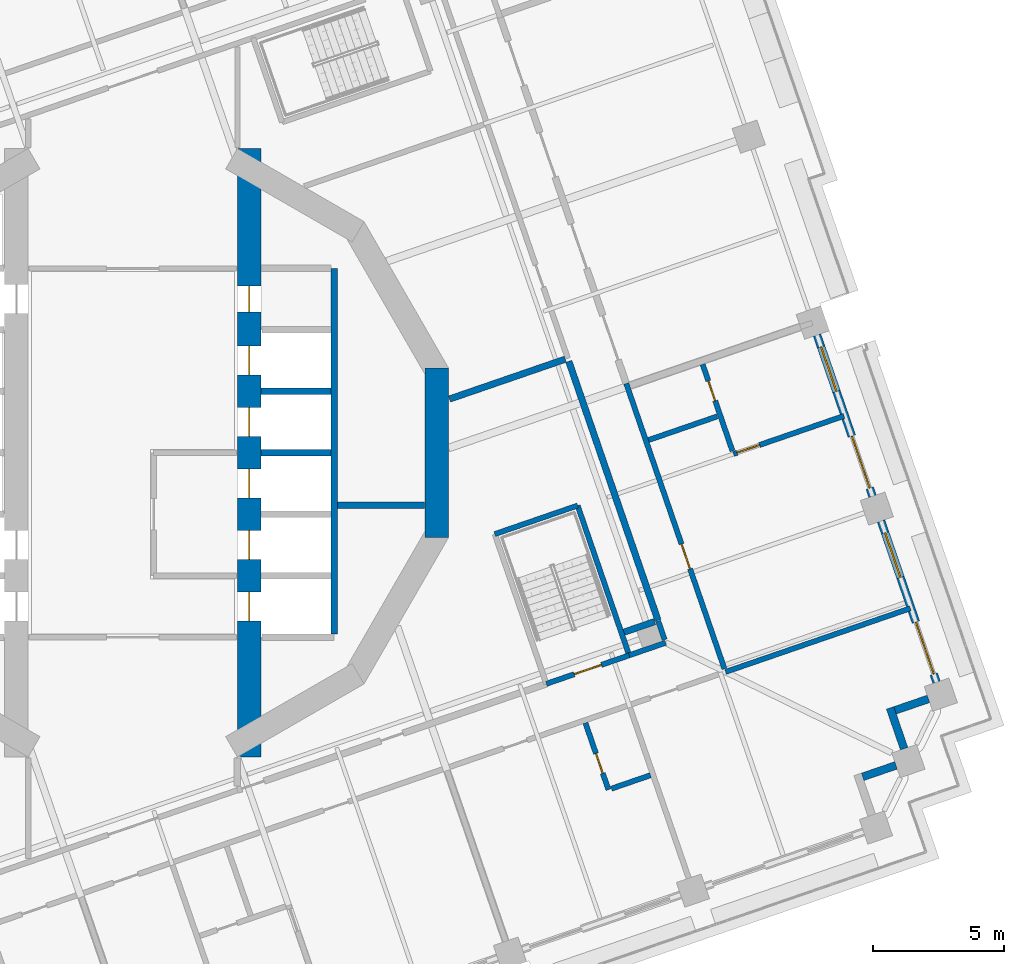
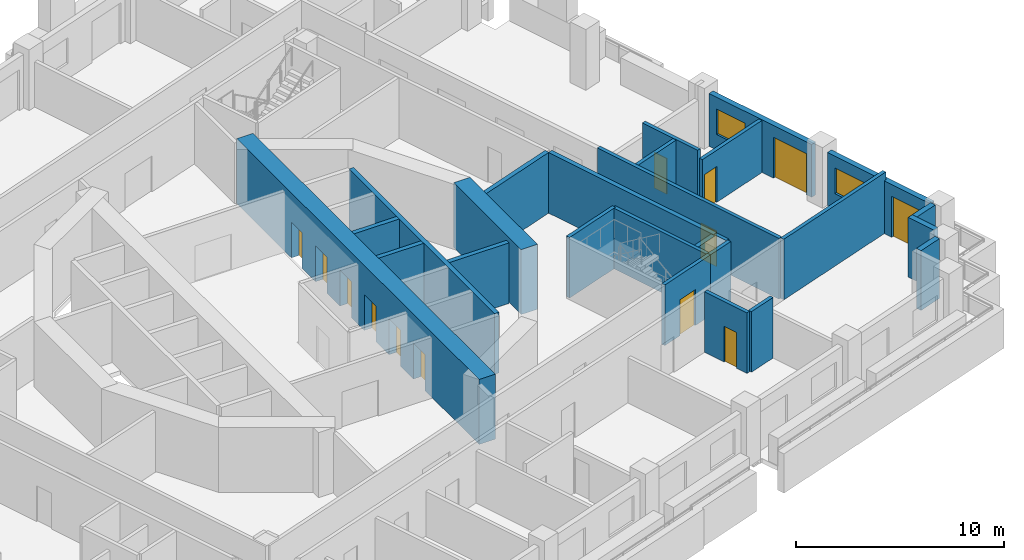
# One storey, part 7 of 19: 26 walls, 13 doors, 2 windows, 15 openings.
"""IFC4 building model written with IfcOpenShell, lengths in metres."""

from ifc_helpers import new_model, si_unit, direction, frame, frame_2d, origin, place, context, subcontext, project, spatial, rectangle, extrude, material, layer, layer_set, type_object, element, fill, save


model = new_model("IFC4")

# Units and contexts
model_context = context("Model", 3, precision=1e-05, world=origin(), true_north=direction((0.0, 1.0)))
body_context = subcontext(model_context, "Body", "Model", "MODEL_VIEW")
ifc_project = project(units=[si_unit("LENGTHUNIT", "METRE"), si_unit("AREAUNIT", "SQUARE_METRE"), si_unit("VOLUMEUNIT", "CUBIC_METRE"), si_unit("PLANEANGLEUNIT", "RADIAN"), si_unit("MASSUNIT", "GRAM", prefix="KILO")], contexts=[model_context])

# Site, building, storey
site_placement = place(None, origin())
site = spatial("IfcSite", under=ifc_project, at=site_placement, CompositionType="ELEMENT")
building_placement = place(site_placement, origin())
building = spatial("IfcBuilding", under=site, at=building_placement, Name="Cantera Rosa Tower", CompositionType="ELEMENT")
storey_placement = place(building_placement, frame((0.0, 0.0, 123.10009765625)))
storey = spatial("IfcBuildingStorey", under=building, at=storey_placement, Name="L25", CompositionType="ELEMENT", Elevation=123.10009765625)

# Walls
ifc_material_1 = material(Name="Gypsum board partition")
ifc_layer_1 = layer(ifc_material_1, 0.199951171875)
ifc_layer_set_1 = layer_set([ifc_layer_1], Name="CORRIDOR WALL 200 H3550")
wall_type_1 = type_object("IfcWallType", Name="CORRIDOR WALL 200 H3550", PredefinedType="PARTITIONING", material=ifc_layer_set_1)
wall_1_placement = place(storey_placement, frame((18.978271484375, -7.7431640625, 0.0), z_axis=(0.0, 0.0, 1.0), x_axis=(0.945529243519, 0.32553717092, 0.0)))
element("IfcWall", 1, at=wall_1_placement, inside=storey, type_object=wall_type_1, Name="CORRIDOR WALL L25-091", PredefinedType="PARTITIONING", context=body_context, shape_type="SweptSolid", body=[
    extrude(rectangle(XDim=1.4765625, YDim=0.199951171875, at=frame_2d((0.73828125, 0.0))), origin(), (0.0, 0.0, 1.0), 3.5498046875),
])
wall_2_placement = place(storey_placement, frame((20.33544921875, -7.14892578125, 0.0), z_axis=(0.0, 0.0, 1.0), x_axis=(-0.32575306004, 0.945454887276, 0.0)))
element("IfcWall", 2, at=wall_2_placement, inside=storey, type_object=wall_type_1, Name="CORRIDOR WALL L25-095", PredefinedType="PARTITIONING", context=body_context, shape_type="SweptSolid", body=[
    extrude(rectangle(XDim=0.760009765625, YDim=0.199951171875, at=frame_2d((0.3798828125, 0.0))), origin(), (0.0, 0.0, 1.0), 3.5498046875),
])

# Wall, opening, door
wall_3_placement = place(storey_placement, frame((22.623291015625, -8.264892578125, 0.0), z_axis=(0.0, 0.0, 1.0), x_axis=(-0.325576165676, 0.945515817077, 0.0)))
wall_3 = element("IfcWall", 3, at=wall_3_placement, inside=storey, type_object=wall_type_1, Name="CORRIDOR WALL L25-098", PredefinedType="PARTITIONING", context=body_context, shape_type="SweptSolid", body=[
    extrude(rectangle(XDim=11.544921875, YDim=0.199951171875, at=frame_2d((5.7724609375, 0.0))), origin(), (0.0, 0.0, 1.0), 3.5498046875),
])
opening_1_placement = place(wall_3_placement, frame((4.050048828125, 0.0, 0.0)))
opening_1 = element("IfcOpeningElement", 4, at=opening_1_placement, cuts=wall_3, Name="Opening L25-015", PredefinedType="OPENING", context=body_context, shape_type="SweptSolid", body=[
    extrude(rectangle(XDim=1.0, YDim=2.10009765625, at=frame_2d((0.5, 1.050048828125))), frame((0.0, 0.10986328125, 0.0), z_axis=(0.0, -1.0, 0.0), x_axis=(1.0, 0.0, 0.0)), (0.0, 0.0, 1.0), 0.219970703125),
])
ifc_material_2 = material(Name="Timber door leaf", Category="wood")
door_type_1 = type_object("IfcDoorType", Name="ENTRANCE DOOR 1000x2100", OperationType="NOTDEFINED", PredefinedType="DOOR", material=ifc_material_2)
door_1_placement = place(opening_1_placement, origin())
door_1 = element("IfcDoor", 5, at=door_1_placement, inside=storey, type_object=door_type_1, Name="DOOR L25-015", OperationType="NOTDEFINED", OverallHeight=2.10009765625, OverallWidth=1.0, PredefinedType="DOOR", context=body_context, shape_type="SweptSolid", body=[
    extrude(rectangle(XDim=1.0, YDim=2.10009765625, at=frame_2d((0.5, 1.050048828125))), frame((0.0, 0.02490234375, 0.0), z_axis=(0.0, -1.0, 0.0), x_axis=(1.0, 0.0, 0.0)), (0.0, 0.0, 1.0), 0.050048828125),
])
fill(opening_1, door_1)

# Walls
ifc_material_3 = material(Name="Hollow clay masonry with cantera stone cladding", Category="masonry")
ifc_layer_2 = layer(ifc_material_3, 0.300048828125)
ifc_layer_set_2 = layer_set([ifc_layer_2], Name="EW-LOGGIA 300")
wall_type_2 = type_object("IfcWallType", Name="EW-LOGGIA 300", PredefinedType="SOLIDWALL", material=ifc_layer_set_2)
wall_4_placement = place(storey_placement, frame((27.904052734375, -12.390380859375, 0.0), z_axis=(0.0, 0.0, 1.0), x_axis=(0.945545797087, 0.325489086777, 0.0)))
element("IfcWall", 6, at=wall_4_placement, inside=storey, type_object=wall_type_2, Name="EN-L25-W29b", PredefinedType="SOLIDWALL", context=body_context, shape_type="SweptSolid", body=[
    extrude(rectangle(XDim=1.35009765625, YDim=0.300048828125, at=frame_2d((0.675048828125, 0.0))), origin(), (0.0, 0.0, 1.0), 3.5),
])
wall_5_placement = place(storey_placement, frame((29.490478515625, -11.315185546875, 0.0), z_axis=(0.0, 0.0, 1.0), x_axis=(-0.32553462645, 0.945530119553, 0.0)))
element("IfcWall", 7, at=wall_5_placement, inside=storey, type_object=wall_type_2, Name="EN-L25-W30a", PredefinedType="SOLIDWALL", context=body_context, shape_type="SweptSolid", body=[
    extrude(rectangle(XDim=1.64990234375, YDim=0.300048828125, at=frame_2d((0.824951171875, 0.0))), origin(), (0.0, 0.0, 1.0), 3.5),
])
wall_6_placement = place(storey_placement, frame((29.14404296875, -9.84814453125, 0.0), z_axis=(0.0, 0.0, 1.0), x_axis=(0.945526634763, 0.325544748006, 0.0)))
element("IfcWall", 8, at=wall_6_placement, inside=storey, type_object=wall_type_2, Name="EN-L25-W30b", PredefinedType="SOLIDWALL", context=body_context, shape_type="SweptSolid", body=[
    extrude(rectangle(XDim=1.349853515625, YDim=0.300048828125, at=frame_2d((0.6748046875, 0.0))), origin(), (0.0, 0.0, 1.0), 3.5),
])

# Wall, openings, window, door
ifc_material_4 = material(Name="Hollow clay masonry with cantera stone cladding", Category="masonry")
ifc_layer_3 = layer(ifc_material_4, 0.300048828125)
ifc_layer_set_3 = layer_set([ifc_layer_3], Name="EW-LOGGIA 300 H3090")
wall_type_3 = type_object("IfcWallType", Name="EW-LOGGIA 300 H3090", PredefinedType="SOLIDWALL", material=ifc_layer_set_3)
wall_7_placement = place(storey_placement, frame((30.73046875, -8.773193359375, 0.0), z_axis=(0.0, 0.0, 1.0), x_axis=(-0.325580990241, 0.945514155787, 0.0)))
wall_7 = element("IfcWall", 9, at=wall_7_placement, inside=storey, type_object=wall_type_3, Name="EN-L25-W01", PredefinedType="SOLIDWALL", context=body_context, shape_type="SweptSolid", body=[
    extrude(rectangle(XDim=6.52001953125, YDim=0.300048828125, at=frame_2d((3.260009765625, 0.0))), origin(), (0.0, 0.0, 1.0), 3.08984375),
])
opening_2_placement = place(wall_7_placement, frame((0.330078125, 0.0, 0.0)))
opening_2 = element("IfcOpeningElement", 10, at=opening_2_placement, cuts=wall_7, Name="Opening L25-TD01", PredefinedType="OPENING", context=body_context, shape_type="SweptSolid", body=[
    extrude(rectangle(XDim=2.10009765625, YDim=2.39990234375, at=frame_2d((1.050048828125, 1.199951171875))), frame((0.0, 0.159912109375, 0.0), z_axis=(0.0, -1.0, 0.0), x_axis=(1.0, 0.0, 0.0)), (0.0, 0.0, 1.0), 0.320068359375),
])
opening_3_placement = place(wall_7_placement, frame((4.239990234375, 0.0, 0.89990234375)))
opening_3 = element("IfcOpeningElement", 11, at=opening_3_placement, cuts=wall_7, Name="Opening L25-W02", PredefinedType="OPENING", context=body_context, shape_type="SweptSolid", body=[
    extrude(rectangle(XDim=1.800048828125, YDim=1.5, at=frame_2d((0.89990234375, 0.75))), frame((0.0, 0.159912109375, 0.0), z_axis=(0.0, -1.0, 0.0), x_axis=(1.0, 0.0, 0.0)), (0.0, 0.0, 1.0), 0.320068359375),
])
ifc_material_5 = material(Name="Aluminium frame with clear glass", Category="aluminium")
window_type = type_object("IfcWindowType", Name="Hotel room window 1800x1500", PartitioningType="DOUBLE_PANEL_VERTICAL", PredefinedType="WINDOW", material=ifc_material_5)
window_1_placement = place(opening_3_placement, origin())
window_1 = element("IfcWindow", 12, at=window_1_placement, inside=storey, type_object=window_type, Name="WINDOW L25-W02", OverallHeight=1.5, OverallWidth=1.800048828125, PartitioningType="SINGLE_PANEL", PredefinedType="WINDOW", context=body_context, shape_type="SweptSolid", body=[
    extrude(rectangle(XDim=1.800048828125, YDim=1.5, at=frame_2d((0.89990234375, 0.75))), frame((0.0, 0.030029296875, 0.0), z_axis=(0.0, -1.0, 0.0), x_axis=(1.0, 0.0, 0.0)), (0.0, 0.0, 1.0), 0.06005859375),
])
fill(opening_3, window_1)
ifc_material_6 = material(Name="Aluminium frame with clear glass", Category="aluminium")
door_type_2 = type_object("IfcDoorType", Name="TD-H 2100x2400", OperationType="NOTDEFINED", PredefinedType="DOOR", material=ifc_material_6)
door_2_placement = place(opening_2_placement, origin())
door_2 = element("IfcDoor", 13, at=door_2_placement, inside=storey, type_object=door_type_2, Name="LOGGIA DOOR L25-TD01", OperationType="SLIDING_TO_LEFT", OverallHeight=2.39990234375, OverallWidth=2.10009765625, PredefinedType="DOOR", context=body_context, shape_type="SweptSolid", body=[
    extrude(rectangle(XDim=2.10009765625, YDim=2.39990234375, at=frame_2d((1.050048828125, 1.199951171875))), frame((0.0, 0.02490234375, 0.0), z_axis=(0.0, -1.0, 0.0), x_axis=(1.0, 0.0, 0.0)), (0.0, 0.0, 1.0), 0.050048828125),
])
fill(opening_2, door_2)

wall_8_placement = place(storey_placement, frame((28.2822265625, -1.662841796875, 0.0), z_axis=(0.0, 0.0, 1.0), x_axis=(-0.325580990241, 0.945514155787, 0.0)))
wall_8 = element("IfcWall", 14, at=wall_8_placement, inside=storey, type_object=wall_type_3, Name="EN-L25-W02", PredefinedType="SOLIDWALL", context=body_context, shape_type="SweptSolid", body=[
    extrude(rectangle(XDim=6.52001953125, YDim=0.300048828125, at=frame_2d((3.260009765625, 0.0))), origin(), (0.0, 0.0, 1.0), 3.08984375),
])
opening_4_placement = place(wall_8_placement, frame((0.330078125, 0.0, 0.0)))
opening_4 = element("IfcOpeningElement", 15, at=opening_4_placement, cuts=wall_8, Name="Opening L25-TD03", PredefinedType="OPENING", context=body_context, shape_type="SweptSolid", body=[
    extrude(rectangle(XDim=2.10009765625, YDim=2.39990234375, at=frame_2d((1.050048828125, 1.199951171875))), frame((0.0, 0.159912109375, 0.0), z_axis=(0.0, -1.0, 0.0), x_axis=(1.0, 0.0, 0.0)), (0.0, 0.0, 1.0), 0.320068359375),
])
opening_5_placement = place(wall_8_placement, frame((4.239990234375, 0.0, 0.89990234375)))
opening_5 = element("IfcOpeningElement", 16, at=opening_5_placement, cuts=wall_8, Name="Opening L25-W04", PredefinedType="OPENING", context=body_context, shape_type="SweptSolid", body=[
    extrude(rectangle(XDim=1.800048828125, YDim=1.5, at=frame_2d((0.89990234375, 0.75))), frame((0.0, 0.159912109375, 0.0), z_axis=(0.0, -1.0, 0.0), x_axis=(1.0, 0.0, 0.0)), (0.0, 0.0, 1.0), 0.320068359375),
])
window_2_placement = place(opening_5_placement, origin())
window_2 = element("IfcWindow", 17, at=window_2_placement, inside=storey, type_object=window_type, Name="WINDOW L25-W04", OverallHeight=1.5, OverallWidth=1.800048828125, PartitioningType="SINGLE_PANEL", PredefinedType="WINDOW", context=body_context, shape_type="SweptSolid", body=[
    extrude(rectangle(XDim=1.800048828125, YDim=1.5, at=frame_2d((0.89990234375, 0.75))), frame((0.0, 0.030029296875, 0.0), z_axis=(0.0, -1.0, 0.0), x_axis=(1.0, 0.0, 0.0)), (0.0, 0.0, 1.0), 0.06005859375),
])
fill(opening_5, window_2)
door_3_placement = place(opening_4_placement, origin())
door_3 = element("IfcDoor", 18, at=door_3_placement, inside=storey, type_object=door_type_2, Name="LOGGIA DOOR L25-TD03", OperationType="SLIDING_TO_LEFT", OverallHeight=2.39990234375, OverallWidth=2.10009765625, PredefinedType="DOOR", context=body_context, shape_type="SweptSolid", body=[
    extrude(rectangle(XDim=2.10009765625, YDim=2.39990234375, at=frame_2d((1.050048828125, 1.199951171875))), frame((0.0, 0.02490234375, 0.0), z_axis=(0.0, -1.0, 0.0), x_axis=(1.0, 0.0, 0.0)), (0.0, 0.0, 1.0), 0.050048828125),
])
fill(opening_4, door_3)

# Wall, opening, door
ifc_material_7 = material(Name="Gypsum board partition")
ifc_layer_4 = layer(ifc_material_7, 0.199951171875)
ifc_layer_set_4 = layer_set([ifc_layer_4], Name="PARTITION 200 H3050")
wall_type_4 = type_object("IfcWallType", Name="PARTITION 200 H3050", PredefinedType="PARTITIONING", material=ifc_layer_set_4)
wall_9_placement = place(storey_placement, frame((27.1923828125, 1.409912109375, 0.0), z_axis=(0.0, 0.0, 1.0), x_axis=(-0.945512780078, -0.325584985388, 0.0)))
wall_9 = element("IfcWall", 19, at=wall_9_placement, inside=storey, type_object=wall_type_4, Name="PARTITION L25-101", PredefinedType="PARTITIONING", context=body_context, shape_type="SweptSolid", body=[
    extrude(rectangle(XDim=4.469970703125, YDim=0.199951171875, at=frame_2d((2.23486328125, 0.0))), origin(), (0.0, 0.0, 1.0), 3.0498046875),
])
opening_6_placement = place(wall_9_placement, frame((3.419921875, 0.0, 0.0)))
opening_6 = element("IfcOpeningElement", 20, at=opening_6_placement, cuts=wall_9, Name="Opening L25-016", PredefinedType="OPENING", context=body_context, shape_type="SweptSolid", body=[
    extrude(rectangle(XDim=0.89990234375, YDim=2.10009765625, at=frame_2d((0.449951171875, 1.050048828125))), frame((0.0, 0.10986328125, 0.0), z_axis=(0.0, -1.0, 0.0), x_axis=(1.0, 0.0, 0.0)), (0.0, 0.0, 1.0), 0.219970703125),
])
ifc_material_8 = material(Name="Timber door leaf", Category="wood")
door_type_3 = type_object("IfcDoorType", Name="ROOM DOOR 900x2100", OperationType="NOTDEFINED", PredefinedType="DOOR", material=ifc_material_8)
door_4_placement = place(opening_6_placement, origin())
door_4 = element("IfcDoor", 21, at=door_4_placement, inside=storey, type_object=door_type_3, Name="DOOR L25-016", OperationType="NOTDEFINED", OverallHeight=2.10009765625, OverallWidth=0.89990234375, PredefinedType="DOOR", context=body_context, shape_type="SweptSolid", body=[
    extrude(rectangle(XDim=0.89990234375, YDim=2.10009765625, at=frame_2d((0.449951171875, 1.050048828125))), frame((0.0, 0.02490234375, 0.0), z_axis=(0.0, -1.0, 0.0), x_axis=(1.0, 0.0, 0.0)), (0.0, 0.0, 1.0), 0.050048828125),
])
fill(opening_6, door_4)

ifc_material_9 = material(Name="Gypsum board partition")
ifc_layer_5 = layer(ifc_material_9, 0.199951171875)
ifc_layer_set_5 = layer_set([ifc_layer_5], Name="PARTITION 200 H3550")
wall_type_5 = type_object("IfcWallType", Name="PARTITION 200 H3550", PredefinedType="PARTITIONING", material=ifc_layer_set_5)
wall_10_placement = place(storey_placement, frame((18.1845703125, -12.881591796875, 0.0), z_axis=(0.0, 0.0, 1.0), x_axis=(-0.325597751787, 0.945508383903, 0.0)))
wall_10 = element("IfcWall", 22, at=wall_10_placement, inside=storey, type_object=wall_type_5, Name="PARTITION L25-088", PredefinedType="PARTITIONING", context=body_context, shape_type="SweptSolid", body=[
    extrude(rectangle(XDim=2.7001953125, YDim=0.199951171875, at=frame_2d((1.35009765625, 0.0))), origin(), (0.0, 0.0, 1.0), 3.5498046875),
])
opening_7_placement = place(wall_10_placement, frame((0.6640625, 0.0, 0.0)))
opening_7 = element("IfcOpeningElement", 23, at=opening_7_placement, cuts=wall_10, Name="Opening L25-039", PredefinedType="OPENING", context=body_context, shape_type="SweptSolid", body=[
    extrude(rectangle(XDim=0.800048828125, YDim=2.10009765625, at=frame_2d((0.39990234375, 1.050048828125))), frame((0.0, 0.10986328125, 0.0), z_axis=(0.0, -1.0, 0.0), x_axis=(1.0, 0.0, 0.0)), (0.0, 0.0, 1.0), 0.219970703125),
])
ifc_material_10 = material(Name="Timber door leaf", Category="wood")
door_type_4 = type_object("IfcDoorType", Name="BATHROOM DOOR 800x2100", OperationType="NOTDEFINED", PredefinedType="DOOR", material=ifc_material_10)
door_5_placement = place(opening_7_placement, origin())
door_5 = element("IfcDoor", 24, at=door_5_placement, inside=storey, type_object=door_type_4, Name="DOOR L25-039", OperationType="NOTDEFINED", OverallHeight=2.10009765625, OverallWidth=0.800048828125, PredefinedType="DOOR", context=body_context, shape_type="SweptSolid", body=[
    extrude(rectangle(XDim=0.800048828125, YDim=2.10009765625, at=frame_2d((0.39990234375, 1.050048828125))), frame((0.0, 0.02490234375, 0.0), z_axis=(0.0, -1.0, 0.0), x_axis=(1.0, 0.0, 0.0)), (0.0, 0.0, 1.0), 0.050048828125),
])
fill(opening_7, door_5)

# Walls
wall_11_placement = place(storey_placement, frame((19.7919921875, -12.327880859375, 0.0), z_axis=(0.0, 0.0, 1.0), x_axis=(-0.945515753246, -0.325576351052, 0.0)))
element("IfcWall", 25, at=wall_11_placement, inside=storey, type_object=wall_type_5, Name="PARTITION L25-092", PredefinedType="PARTITIONING", context=body_context, shape_type="SweptSolid", body=[
    extrude(rectangle(XDim=1.580078125, YDim=0.199951171875, at=frame_2d((0.7900390625, 0.0))), origin(), (0.0, 0.0, 1.0), 3.5498046875),
])
wall_12_placement = place(storey_placement, frame((22.3447265625, 1.390380859375, 0.0), z_axis=(0.0, 0.0, 1.0), x_axis=(-0.945528723608, -0.325538681008, 0.0)))
element("IfcWall", 26, at=wall_12_placement, inside=storey, type_object=wall_type_5, Name="PARTITION L25-097", PredefinedType="PARTITIONING", context=body_context, shape_type="SweptSolid", body=[
    extrude(rectangle(XDim=2.780029296875, YDim=0.199951171875, at=frame_2d((1.39013671875, 0.0))), origin(), (0.0, 0.0, 1.0), 3.5498046875),
])

# Wall, opening, door
wall_13_placement = place(storey_placement, frame((22.927001953125, 0.068115234375, 0.0), z_axis=(0.0, 0.0, 1.0), x_axis=(-0.325574193534, 0.945516496157, 0.0)))
wall_13 = element("IfcWall", 27, at=wall_13_placement, inside=storey, type_object=wall_type_5, Name="PARTITION L25-100", PredefinedType="PARTITIONING", context=body_context, shape_type="SweptSolid", body=[
    extrude(rectangle(XDim=3.5048828125, YDim=0.199951171875, at=frame_2d((1.75244140625, 0.0))), origin(), (0.0, 0.0, 1.0), 3.5498046875),
])
opening_8_placement = place(wall_13_placement, frame((2.030029296875, 0.0, 0.0)))
opening_8 = element("IfcOpeningElement", 28, at=opening_8_placement, cuts=wall_13, Name="Opening L25-017", PredefinedType="OPENING", context=body_context, shape_type="SweptSolid", body=[
    extrude(rectangle(XDim=0.800048828125, YDim=2.10009765625, at=frame_2d((0.39990234375, 1.050048828125))), frame((0.0, 0.10986328125, 0.0), z_axis=(0.0, -1.0, 0.0), x_axis=(1.0, 0.0, 0.0)), (0.0, 0.0, 1.0), 0.219970703125),
])
door_6_placement = place(opening_8_placement, origin())
door_6 = element("IfcDoor", 29, at=door_6_placement, inside=storey, type_object=door_type_4, Name="DOOR L25-017", OperationType="NOTDEFINED", OverallHeight=2.10009765625, OverallWidth=0.800048828125, PredefinedType="DOOR", context=body_context, shape_type="SweptSolid", body=[
    extrude(rectangle(XDim=0.800048828125, YDim=2.10009765625, at=frame_2d((0.39990234375, 1.050048828125))), frame((0.0, 0.02490234375, 0.0), z_axis=(0.0, -1.0, 0.0), x_axis=(1.0, 0.0, 0.0)), (0.0, 0.0, 1.0), 0.050048828125),
])
fill(opening_8, door_6)

# Walls
ifc_material_11 = material(Name="Gypsum board partition")
ifc_layer_6 = layer(ifc_material_11, 0.199951171875)
ifc_layer_set_6 = layer_set([ifc_layer_6], Name="PARTY WALL 200 H3550")
wall_type_6 = type_object("IfcWallType", Name="PARTY WALL 200 H3550", PredefinedType="PARTITIONING", material=ifc_layer_set_6)
wall_14_placement = place(storey_placement, frame((29.725341796875, -5.9462890625, 0.0), z_axis=(0.0, 0.0, 1.0), x_axis=(-0.945512517373, -0.325585748291, 0.0)))
element("IfcWall", 30, at=wall_14_placement, inside=storey, type_object=wall_type_6, Name="PARTY WALL L25-102", PredefinedType="PARTITIONING", context=body_context, shape_type="SweptSolid", body=[
    extrude(rectangle(XDim=7.469970703125, YDim=0.199951171875, at=frame_2d((3.73486328125, 0.0))), origin(), (0.0, 0.0, 1.0), 3.5498046875),
])
ifc_material_12 = material(Name="Concrete C70/85", Category="concrete")
ifc_layer_7 = layer(ifc_material_12, 0.89990234375)
ifc_layer_set_7 = layer_set([ifc_layer_7], Name="RC CORE WALL 900 C70/85")
wall_type_7 = type_object("IfcWallType", Name="RC CORE WALL 900 C70/85", PredefinedType="SHEAR", material=ifc_layer_set_7)
wall_15_placement = place(storey_placement, frame((11.6240234375, 3.2353515625, 0.0), z_axis=(0.0, 0.0, 1.0), x_axis=(0.0, -1.0, 0.0)))
element("IfcWall", 31, at=wall_15_placement, inside=storey, type_object=wall_type_7, Name="CW-E3 L25", PredefinedType="SHEAR", context=body_context, shape_type="SweptSolid", body=[
    extrude(rectangle(XDim=6.470703125, YDim=0.89990234375, at=frame_2d((3.2353515625, 0.0))), origin(), (0.0, 0.0, 1.0), 3.7998046875),
])

# Wall, openings, doors
wall_16_placement = place(storey_placement, frame((4.449951171875, -11.632568359375, 0.0), z_axis=(0.0, 0.0, 1.0), x_axis=(0.0, 1.0, 0.0)))
wall_16 = element("IfcWall", 32, at=wall_16_placement, inside=storey, type_object=wall_type_7, Name="CW-E6 L25", PredefinedType="SHEAR", context=body_context, shape_type="SweptSolid", body=[
    extrude(rectangle(XDim=23.26513671875, YDim=0.89990234375, at=frame_2d((11.632568359375, 0.0))), origin(), (0.0, 0.0, 1.0), 3.7998046875),
])
opening_9_placement = place(wall_16_placement, frame((7.5576171875, 0.0, 0.0)))
opening_9 = element("IfcOpeningElement", 33, at=opening_9_placement, cuts=wall_16, Name="Opening LD-FF1-L25", PredefinedType="OPENING", context=body_context, shape_type="SweptSolid", body=[
    extrude(rectangle(XDim=1.10009765625, YDim=2.10009765625, at=frame_2d((0.550048828125, 1.050048828125))), frame((0.0, 0.4599609375, 0.0), z_axis=(0.0, -1.0, 0.0), x_axis=(1.0, 0.0, 0.0)), (0.0, 0.0, 1.0), 0.919921875),
])
opening_10_placement = place(wall_16_placement, frame((9.907470703125, 0.0, 0.0)))
opening_10 = element("IfcOpeningElement", 34, at=opening_10_placement, cuts=wall_16, Name="Opening LD-FF2-L25", PredefinedType="OPENING", context=body_context, shape_type="SweptSolid", body=[
    extrude(rectangle(XDim=1.10009765625, YDim=2.10009765625, at=frame_2d((0.550048828125, 1.050048828125))), frame((0.0, 0.4599609375, 0.0), z_axis=(0.0, -1.0, 0.0), x_axis=(1.0, 0.0, 0.0)), (0.0, 0.0, 1.0), 0.919921875),
])
opening_11_placement = place(wall_16_placement, frame((12.257568359375, 0.0, 0.0)))
opening_11 = element("IfcOpeningElement", 35, at=opening_11_placement, cuts=wall_16, Name="Opening LD-P1-L25", PredefinedType="OPENING", context=body_context, shape_type="SweptSolid", body=[
    extrude(rectangle(XDim=1.10009765625, YDim=2.10009765625, at=frame_2d((0.550048828125, 1.050048828125))), frame((0.0, 0.4599609375, 0.0), z_axis=(0.0, -1.0, 0.0), x_axis=(1.0, 0.0, 0.0)), (0.0, 0.0, 1.0), 0.919921875),
])
opening_12_placement = place(wall_16_placement, frame((14.607421875, 0.0, 0.0)))
opening_12 = element("IfcOpeningElement", 36, at=opening_12_placement, cuts=wall_16, Name="Opening LD-P2-L25", PredefinedType="OPENING", context=body_context, shape_type="SweptSolid", body=[
    extrude(rectangle(XDim=1.10009765625, YDim=2.10009765625, at=frame_2d((0.550048828125, 1.050048828125))), frame((0.0, 0.4599609375, 0.0), z_axis=(0.0, -1.0, 0.0), x_axis=(1.0, 0.0, 0.0)), (0.0, 0.0, 1.0), 0.919921875),
])
opening_13_placement = place(wall_16_placement, frame((5.20751953125, 0.0, 0.0)))
opening_13 = element("IfcOpeningElement", 37, at=opening_13_placement, cuts=wall_16, Name="Opening LD-P6-L25", PredefinedType="OPENING", context=body_context, shape_type="SweptSolid", body=[
    extrude(rectangle(XDim=1.10009765625, YDim=2.10009765625, at=frame_2d((0.550048828125, 1.050048828125))), frame((0.0, 0.4599609375, 0.0), z_axis=(0.0, -1.0, 0.0), x_axis=(1.0, 0.0, 0.0)), (0.0, 0.0, 1.0), 0.919921875),
])
opening_14_placement = place(wall_16_placement, frame((17.007568359375, 0.0, 0.0)))
opening_14 = element("IfcOpeningElement", 38, at=opening_14_placement, cuts=wall_16, Name="Opening SD-L25-14", PredefinedType="OPENING", context=body_context, shape_type="SweptSolid", body=[
    extrude(rectangle(XDim=1.0, YDim=2.10009765625, at=frame_2d((0.5, 1.050048828125))), frame((0.0, 0.4599609375, 0.0), z_axis=(0.0, -1.0, 0.0), x_axis=(1.0, 0.0, 0.0)), (0.0, 0.0, 1.0), 0.919921875),
])
ifc_material_13 = material(Name="Steel S355J2 (EN 10025-2)", Category="steel")
door_type_5 = type_object("IfcDoorType", Name="LANDING DOOR 1100x2100", OperationType="NOTDEFINED", PredefinedType="DOOR", material=ifc_material_13)
door_7_placement = place(opening_9_placement, origin())
door_7 = element("IfcDoor", 39, at=door_7_placement, inside=storey, type_object=door_type_5, Name="LANDING DOOR FF1 L25", OperationType="SLIDING_TO_LEFT", OverallHeight=2.10009765625, OverallWidth=1.10009765625, PredefinedType="DOOR", context=body_context, shape_type="SweptSolid", body=[
    extrude(rectangle(XDim=1.10009765625, YDim=2.10009765625, at=frame_2d((0.550048828125, 1.050048828125))), frame((0.0, 0.02490234375, 0.0), z_axis=(0.0, -1.0, 0.0), x_axis=(1.0, 0.0, 0.0)), (0.0, 0.0, 1.0), 0.050048828125),
])
fill(opening_9, door_7)
door_8_placement = place(opening_10_placement, origin())
door_8 = element("IfcDoor", 40, at=door_8_placement, inside=storey, type_object=door_type_5, Name="LANDING DOOR FF2 L25", OperationType="SLIDING_TO_LEFT", OverallHeight=2.10009765625, OverallWidth=1.10009765625, PredefinedType="DOOR", context=body_context, shape_type="SweptSolid", body=[
    extrude(rectangle(XDim=1.10009765625, YDim=2.10009765625, at=frame_2d((0.550048828125, 1.050048828125))), frame((0.0, 0.02490234375, 0.0), z_axis=(0.0, -1.0, 0.0), x_axis=(1.0, 0.0, 0.0)), (0.0, 0.0, 1.0), 0.050048828125),
])
fill(opening_10, door_8)
door_9_placement = place(opening_11_placement, origin())
door_9 = element("IfcDoor", 41, at=door_9_placement, inside=storey, type_object=door_type_5, Name="LANDING DOOR P1 L25", OperationType="SLIDING_TO_LEFT", OverallHeight=2.10009765625, OverallWidth=1.10009765625, PredefinedType="DOOR", context=body_context, shape_type="SweptSolid", body=[
    extrude(rectangle(XDim=1.10009765625, YDim=2.10009765625, at=frame_2d((0.550048828125, 1.050048828125))), frame((0.0, 0.02490234375, 0.0), z_axis=(0.0, -1.0, 0.0), x_axis=(1.0, 0.0, 0.0)), (0.0, 0.0, 1.0), 0.050048828125),
])
fill(opening_11, door_9)
door_10_placement = place(opening_12_placement, origin())
door_10 = element("IfcDoor", 42, at=door_10_placement, inside=storey, type_object=door_type_5, Name="LANDING DOOR P2 L25", OperationType="SLIDING_TO_LEFT", OverallHeight=2.10009765625, OverallWidth=1.10009765625, PredefinedType="DOOR", context=body_context, shape_type="SweptSolid", body=[
    extrude(rectangle(XDim=1.10009765625, YDim=2.10009765625, at=frame_2d((0.550048828125, 1.050048828125))), frame((0.0, 0.02490234375, 0.0), z_axis=(0.0, -1.0, 0.0), x_axis=(1.0, 0.0, 0.0)), (0.0, 0.0, 1.0), 0.050048828125),
])
fill(opening_12, door_10)
door_11_placement = place(opening_13_placement, origin())
door_11 = element("IfcDoor", 43, at=door_11_placement, inside=storey, type_object=door_type_5, Name="LANDING DOOR P6 L25", OperationType="SLIDING_TO_LEFT", OverallHeight=2.10009765625, OverallWidth=1.10009765625, PredefinedType="DOOR", context=body_context, shape_type="SweptSolid", body=[
    extrude(rectangle(XDim=1.10009765625, YDim=2.10009765625, at=frame_2d((0.550048828125, 1.050048828125))), frame((0.0, 0.02490234375, 0.0), z_axis=(0.0, -1.0, 0.0), x_axis=(1.0, 0.0, 0.0)), (0.0, 0.0, 1.0), 0.050048828125),
])
fill(opening_13, door_11)
ifc_material_14 = material(Name="Timber door leaf", Category="wood")
door_type_6 = type_object("IfcDoorType", Name="SERVICE DOOR 1000x2100", OperationType="NOTDEFINED", PredefinedType="DOOR", material=ifc_material_14)
door_12_placement = place(opening_14_placement, origin())
door_12 = element("IfcDoor", 44, at=door_12_placement, inside=storey, type_object=door_type_6, Name="DOOR L25-SD14", OperationType="NOTDEFINED", OverallHeight=2.10009765625, OverallWidth=1.0, PredefinedType="DOOR", context=body_context, shape_type="SweptSolid", body=[
    extrude(rectangle(XDim=1.0, YDim=2.10009765625, at=frame_2d((0.5, 1.050048828125))), frame((0.0, 0.02490234375, 0.0), z_axis=(0.0, -1.0, 0.0), x_axis=(1.0, 0.0, 0.0)), (0.0, 0.0, 1.0), 0.050048828125),
])
fill(opening_14, door_12)

# Walls
ifc_material_15 = material(Name="Masonry blockwork", Category="masonry")
ifc_layer_8 = layer(ifc_material_15, 0.25)
ifc_layer_set_8 = layer_set([ifc_layer_8], Name="SHAFT WALL 250 H3550")
wall_type_8 = type_object("IfcWallType", Name="SHAFT WALL 250 H3550", PredefinedType="SOLIDWALL", material=ifc_layer_set_8)
wall_17_placement = place(storey_placement, frame((4.89990234375, 0.0, 0.0), z_axis=(0.0, 0.0, 1.0), x_axis=(1.0, 0.0, 0.0)))
element("IfcWall", 45, at=wall_17_placement, inside=storey, type_object=wall_type_8, Name="SHAFT WALL L25-059", PredefinedType="SOLIDWALL", context=body_context, shape_type="SweptSolid", body=[
    extrude(rectangle(XDim=2.675048828125, YDim=0.25, at=frame_2d((1.33740234375, 0.0))), origin(), (0.0, 0.0, 1.0), 3.5498046875),
])
wall_18_placement = place(storey_placement, frame((7.699951171875, -6.929931640625, 0.0), z_axis=(0.0, 0.0, 1.0), x_axis=(0.0, 1.0, 0.0)))
element("IfcWall", 46, at=wall_18_placement, inside=storey, type_object=wall_type_8, Name="SHAFT WALL L25-065", PredefinedType="SOLIDWALL", context=body_context, shape_type="SweptSolid", body=[
    extrude(rectangle(XDim=13.97998046875, YDim=0.25, at=frame_2d((6.989990234375, 0.0))), origin(), (0.0, 0.0, 1.0), 3.5498046875),
])
wall_19_placement = place(storey_placement, frame((7.824951171875, -2.0146484375, 0.0), z_axis=(0.0, 0.0, 1.0), x_axis=(1.0, 0.0, 0.0)))
element("IfcWall", 47, at=wall_19_placement, inside=storey, type_object=wall_type_8, Name="SHAFT WALL L25-067", PredefinedType="SOLIDWALL", context=body_context, shape_type="SweptSolid", body=[
    extrude(rectangle(XDim=3.319091796875, YDim=0.25, at=frame_2d((1.65966796875, 0.0))), origin(), (0.0, 0.0, 1.0), 3.5498046875),
])
wall_20_placement = place(storey_placement, frame((7.574951171875, 2.35009765625, 0.0), z_axis=(0.0, 0.0, 1.0), x_axis=(-1.0, 0.0, 0.0)))
element("IfcWall", 48, at=wall_20_placement, inside=storey, type_object=wall_type_8, Name="SHAFT WALL L25-068", PredefinedType="SOLIDWALL", context=body_context, shape_type="SweptSolid", body=[
    extrude(rectangle(XDim=2.675048828125, YDim=0.25, at=frame_2d((1.33740234375, 0.0))), origin(), (0.0, 0.0, 1.0), 3.5498046875),
])
wall_21_placement = place(storey_placement, frame((16.535888671875, 3.57861328125, 0.0), z_axis=(0.0, 0.0, 1.0), x_axis=(-0.945511827889, -0.325587750572, 0.0)))
element("IfcWall", 49, at=wall_21_placement, inside=storey, type_object=wall_type_8, Name="SHAFT WALL L25-085", PredefinedType="SOLIDWALL", context=body_context, shape_type="SweptSolid", body=[
    extrude(rectangle(XDim=4.687255859375, YDim=0.25, at=frame_2d((2.34375, 0.0))), origin(), (0.0, 0.0, 1.0), 3.5498046875),
])
wall_22_placement = place(storey_placement, frame((20.081298828125, -6.411376953125, 0.0), z_axis=(0.0, 0.0, 1.0), x_axis=(-0.325563471728, 0.945520187979, 0.0)))
element("IfcWall", 50, at=wall_22_placement, inside=storey, type_object=wall_type_8, Name="SHAFT WALL L25-093", PredefinedType="SOLIDWALL", context=body_context, shape_type="SweptSolid", body=[
    extrude(rectangle(XDim=10.47998046875, YDim=0.25, at=frame_2d((5.239990234375, 0.0))), origin(), (0.0, 0.0, 1.0), 3.5498046875),
])
wall_23_placement = place(storey_placement, frame((19.94921875, -6.45703125, 0.0), z_axis=(0.0, 0.0, 1.0), x_axis=(-0.945538581865, -0.325510046241, 0.0)))
element("IfcWall", 51, at=wall_23_placement, inside=storey, type_object=wall_type_8, Name="SHAFT WALL L25-094", PredefinedType="SOLIDWALL", context=body_context, shape_type="SweptSolid", body=[
    extrude(rectangle(XDim=1.23681640625, YDim=0.25, at=frame_2d((0.618408203125, 0.0))), origin(), (0.0, 0.0, 1.0), 3.5498046875),
])

# Wall, opening, door
ifc_material_16 = material(Name="Concrete C50/60", Category="concrete")
ifc_layer_9 = layer(ifc_material_16, 0.199951171875)
ifc_layer_set_9 = layer_set([ifc_layer_9], Name="STAIR WALL 200 H3550")
wall_type_9 = type_object("IfcWallType", Name="STAIR WALL 200 H3550", PredefinedType="SOLIDWALL", material=ifc_layer_set_9)
wall_24_placement = place(storey_placement, frame((15.810791015625, -8.833740234375, 0.0), z_axis=(0.0, 0.0, 1.0), x_axis=(0.945525450469, 0.325548187702, 0.0)))
wall_24 = element("IfcWall", 52, at=wall_24_placement, inside=storey, type_object=wall_type_9, Name="STAIR WALL L25-082", PredefinedType="SOLIDWALL", context=body_context, shape_type="SweptSolid", body=[
    extrude(rectangle(XDim=3.349853515625, YDim=0.199951171875, at=frame_2d((1.6748046875, 0.0))), origin(), (0.0, 0.0, 1.0), 3.5498046875),
])
opening_15_placement = place(wall_24_placement, frame((1.125, 0.0, 0.0)))
opening_15 = element("IfcOpeningElement", 53, at=opening_15_placement, cuts=wall_24, Name="Opening L25-003", PredefinedType="OPENING", context=body_context, shape_type="SweptSolid", body=[
    extrude(rectangle(XDim=1.10009765625, YDim=2.10009765625, at=frame_2d((0.550048828125, 1.050048828125))), frame((0.0, 0.10986328125, 0.0), z_axis=(0.0, -1.0, 0.0), x_axis=(1.0, 0.0, 0.0)), (0.0, 0.0, 1.0), 0.219970703125),
])
ifc_material_17 = material(Name="Steel S355J2 (EN 10025-2)", Category="steel")
door_type_7 = type_object("IfcDoorType", Name="STAIR DOOR 1100x2100", OperationType="NOTDEFINED", PredefinedType="DOOR", material=ifc_material_17)
door_13_placement = place(opening_15_placement, origin())
door_13 = element("IfcDoor", 54, at=door_13_placement, inside=storey, type_object=door_type_7, Name="DOOR L25-003", OperationType="NOTDEFINED", OverallHeight=2.10009765625, OverallWidth=1.10009765625, PredefinedType="DOOR", context=body_context, shape_type="SweptSolid", body=[
    extrude(rectangle(XDim=1.10009765625, YDim=2.10009765625, at=frame_2d((0.550048828125, 1.050048828125))), frame((0.0, 0.02490234375, 0.0), z_axis=(0.0, -1.0, 0.0), x_axis=(1.0, 0.0, 0.0)), (0.0, 0.0, 1.0), 0.050048828125),
])
fill(opening_15, door_13)

# Walls
wall_25_placement = place(storey_placement, frame((17.007080078125, -2.01806640625, 0.0), z_axis=(0.0, 0.0, 1.0), x_axis=(-0.945503015732, -0.325613340087, 0.0)))
element("IfcWall", 55, at=wall_25_placement, inside=storey, type_object=wall_type_9, Name="STAIR WALL L25-086", PredefinedType="SOLIDWALL", context=body_context, shape_type="SweptSolid", body=[
    extrude(rectangle(XDim=3.35009765625, YDim=0.199951171875, at=frame_2d((1.675048828125, 0.0))), origin(), (0.0, 0.0, 1.0), 3.5498046875),
])
wall_26_placement = place(storey_placement, frame((17.007080078125, -2.01806640625, 0.0), z_axis=(0.0, 0.0, 1.0), x_axis=(0.325550760545, -0.945524564625, 0.0)))
element("IfcWall", 56, at=wall_26_placement, inside=storey, type_object=wall_type_9, Name="STAIR WALL L25-087", PredefinedType="SOLIDWALL", context=body_context, shape_type="SweptSolid", body=[
    extrude(rectangle(XDim=6.054931640625, YDim=0.199951171875, at=frame_2d((3.02734375, 0.0))), origin(), (0.0, 0.0, 1.0), 3.5498046875),
])

save(model, "model.ifc")
